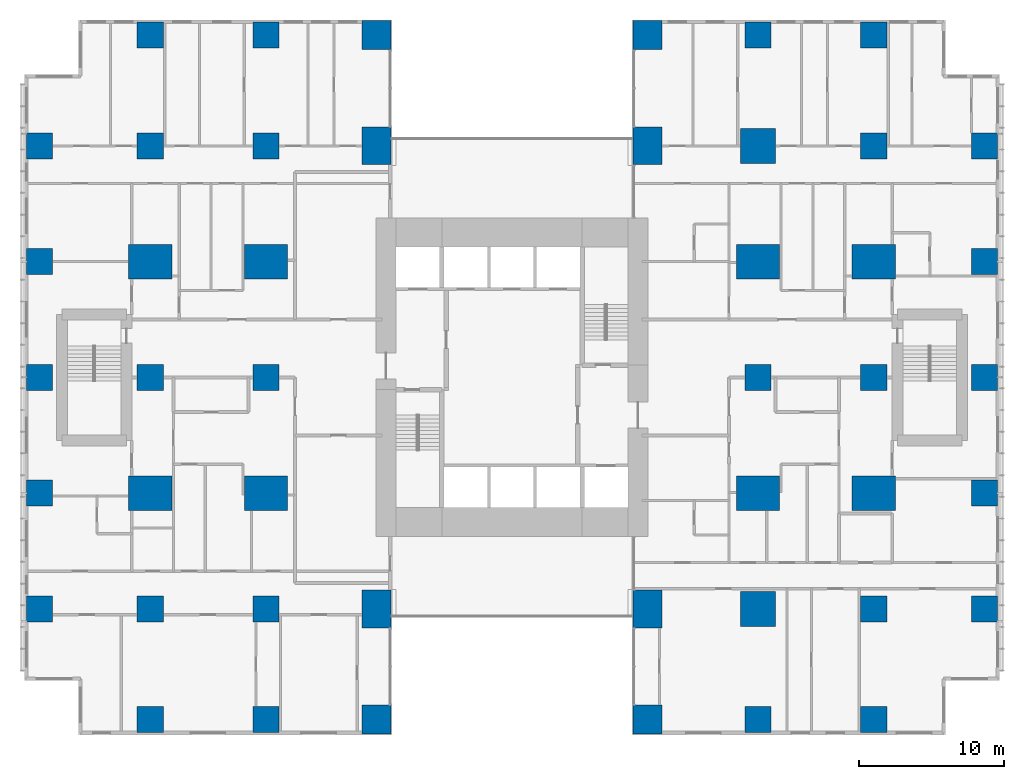
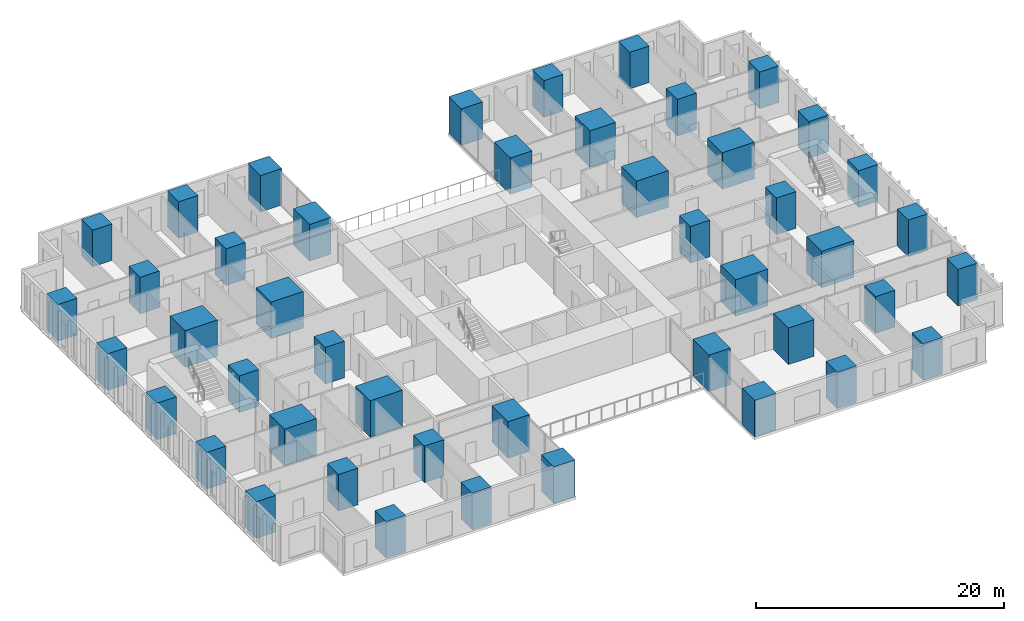
# One storey, part 1 of 20: 46 columns.
"""IFC4 building model written with IfcOpenShell, lengths in metres."""

from ifc_helpers import new_model, si_unit, direction, frame, origin, origin_2d, place, context, subcontext, project, spatial, rectangle, extrude, material, material_profile, profile_set, type_object, element, save


model = new_model("IFC4")

# Units and contexts
model_context = context("Model", 3, precision=1e-05, world=origin(), true_north=direction((0.0, 1.0)))
body_context = subcontext(model_context, "Body", "Model", "MODEL_VIEW")
ifc_project = project(units=[si_unit("LENGTHUNIT", "METRE"), si_unit("AREAUNIT", "SQUARE_METRE"), si_unit("VOLUMEUNIT", "CUBIC_METRE"), si_unit("PLANEANGLEUNIT", "RADIAN"), si_unit("MASSUNIT", "GRAM", prefix="KILO")], contexts=[model_context])

# Site, building, storey
site_placement = place(None, origin())
site = spatial("IfcSite", under=ifc_project, at=site_placement, CompositionType="ELEMENT")
building_placement = place(site_placement, origin())
building = spatial("IfcBuilding", under=site, at=building_placement, Name="Cleftline Residences", CompositionType="ELEMENT")
storey_placement = place(building_placement, frame((0.0, 0.0, 182.199951171875)))
storey = spatial("IfcBuildingStorey", under=building, at=storey_placement, Name="L47", CompositionType="ELEMENT", Elevation=182.199951171875)

# Columns
ifc_material_1 = material(Name="Concrete B70", Category="concrete")
ifc_material_profile_1 = material_profile(ifc_material_1, rectangle(XDim=1.800048828125, YDim=1.800048828125, at=origin_2d()))
ifc_profile_set_1 = profile_set([ifc_material_profile_1], Name="Concrete B70")
column_type_1 = type_object("IfcColumnType", Name="COLUMN RC1800X1800", PredefinedType="COLUMN", material=ifc_profile_set_1)
for number, where, z_axis, x_axis, name in (
    (1, (0.35009765625, 8.0, 0.0), (0.0, 0.0, 1.0), (1.0, 0.0, 0.0), "Column D/3"),
    (2, (0.35009765625, 16.0, 0.0), (0.0, 0.0, 1.0), (1.0, 0.0, 0.0), "Column E/3"),
    (3, (0.35009765625, 24.0, 0.0), (0.0, 0.0, 1.0), (1.0, 0.0, 0.0), "Column F/3"),
    (4, (0.35009765625, 32.0, 0.0), (0.0, 0.0, 1.0), (1.0, 0.0, 0.0), "Column G/3"),
    (5, (0.35009765625, 40.0, 0.0), (0.0, 0.0, 1.0), (1.0, 0.0, 0.0), "Column H/3"),
    (6, (8.0, 0.35009765625, 0.0), (0.0, 0.0, 1.0), (1.0, 0.0, 0.0), "Column C/4"),
    (7, (8.0, 8.0, 0.0), (0.0, 0.0, 1.0), (1.0, 0.0, 0.0), "Column D/4"),
    (8, (8.0, 24.0, 0.0), (0.0, 0.0, 1.0), (1.0, 0.0, 0.0), "Column F/4"),
    (9, (8.0, 40.0, 0.0), (0.0, 0.0, 1.0), (1.0, 0.0, 0.0), "Column H/4"),
    (10, (8.0, 47.64990234375, 0.0), (0.0, 0.0, 1.0), (1.0, 0.0, 0.0), "Column J/4"),
    (11, (16.0, 0.35009765625, 0.0), (0.0, 0.0, 1.0), (1.0, 0.0, 0.0), "Column C/5"),
    (12, (16.0, 8.0, 0.0), (0.0, 0.0, 1.0), (1.0, 0.0, 0.0), "Column D/5"),
    (13, (16.0, 24.0, 0.0), (0.0, 0.0, 1.0), (1.0, 0.0, 0.0), "Column F/5"),
    (14, (16.0, 40.0, 0.0), (0.0, 0.0, 1.0), (1.0, 0.0, 0.0), "Column H/5"),
    (15, (16.0, 47.64990234375, 0.0), (0.0, 0.0, 1.0), (1.0, 0.0, 0.0), "Column J/5"),
    (16, (50.0, 0.35009765625, 0.0), (0.0, 0.0, 1.0), (1.0, 0.0, 0.0), "Column C/9"),
    (17, (50.0, 24.0, 0.0), (0.0, 0.0, 1.0), (1.0, 0.0, 0.0), "Column F/9"),
    (18, (50.0, 47.64990234375, 0.0), (0.0, 0.0, 1.0), (1.0, 0.0, 0.0), "Column J/9"),
    (19, (58.0, 0.35009765625, 0.0), (0.0, 0.0, 1.0), (1.0, 0.0, 0.0), "Column C/10"),
    (20, (58.0, 8.0, 0.0), (0.0, 0.0, 1.0), (1.0, 0.0, 0.0), "Column D/10"),
    (21, (58.0, 24.0, 0.0), (0.0, 0.0, 1.0), (1.0, 0.0, 0.0), "Column F/10"),
    (22, (58.0, 40.0, 0.0), (0.0, 0.0, 1.0), (1.0, 0.0, 0.0), "Column H/10"),
    (23, (58.0, 47.64990234375, 0.0), (0.0, 0.0, 1.0), (1.0, 0.0, 0.0), "Column J/10"),
    (24, (65.64990234375, 8.0, 0.0), (0.0, 0.0, 1.0), (1.0, 0.0, 0.0), "Column D/11"),
    (25, (65.64990234375, 16.0, 0.0), (0.0, 0.0, 1.0), (1.0, 0.0, 0.0), "Column E/11"),
    (26, (65.64990234375, 24.0, 0.0), (0.0, 0.0, 1.0), (1.0, 0.0, 0.0), "Column F/11"),
    (27, (65.64990234375, 32.0, 0.0), (0.0, 0.0, 1.0), (1.0, 0.0, 0.0), "Column G/11"),
    (28, (65.64990234375, 40.0, 0.0), (0.0, 0.0, 1.0), (1.0, 0.0, 0.0), "Column H/11"),
):
    element("IfcColumn", number, at=place(storey_placement, frame(where, z_axis=z_axis, x_axis=x_axis)), inside=storey, type_object=column_type_1, Name=name, PredefinedType="COLUMN", context=body_context, shape_type="SweptSolid", body=[
        extrude(rectangle(XDim=1.800048828125, YDim=1.800048828125, at=origin_2d()), origin(), (0.0, 0.0, 1.0), 3.60009765625),
    ])
ifc_material_2 = material(Name="Concrete B70", Category="concrete")
ifc_material_profile_2 = material_profile(ifc_material_2, rectangle(XDim=2.0, YDim=2.0, at=origin_2d()))
ifc_profile_set_2 = profile_set([ifc_material_profile_2], Name="Concrete B70")
column_type_2 = type_object("IfcColumnType", Name="COLUMN RC2000X2000", PredefinedType="COLUMN", material=ifc_profile_set_2)
for number, where, z_axis, x_axis, name in (
    (29, (23.64990234375, 0.35009765625, 0.0), (0.0, 0.0, 1.0), (1.0, 0.0, 0.0), "Column C/6"),
    (30, (23.64990234375, 47.64990234375, 0.0), (0.0, 0.0, 1.0), (1.0, 0.0, 0.0), "Column J/6"),
    (31, (42.35009765625, 0.35009765625, 0.0), (0.0, 0.0, 1.0), (1.0, 0.0, 0.0), "Column C/8"),
    (32, (42.35009765625, 47.64990234375, 0.0), (0.0, 0.0, 1.0), (1.0, 0.0, 0.0), "Column J/8"),
):
    element("IfcColumn", number, at=place(storey_placement, frame(where, z_axis=z_axis, x_axis=x_axis)), inside=storey, type_object=column_type_2, Name=name, PredefinedType="COLUMN", context=body_context, shape_type="SweptSolid", body=[
        extrude(rectangle(XDim=2.0, YDim=2.0, at=origin_2d()), origin(), (0.0, 0.0, 1.0), 3.60009765625),
    ])
ifc_material_3 = material(Name="Concrete B70", Category="concrete")
ifc_material_profile_3 = material_profile(ifc_material_3, rectangle(XDim=2.0, YDim=2.60009765625, at=origin_2d()))
ifc_profile_set_3 = profile_set([ifc_material_profile_3], Name="Concrete B70")
column_type_3 = type_object("IfcColumnType", Name="COLUMN RC2000X2600", PredefinedType="COLUMN", material=ifc_profile_set_3)
for number, where, z_axis, x_axis, name in (
    (33, (23.64990234375, 8.0, 0.0), (0.0, 0.0, 1.0), (1.0, 0.0, 0.0), "Column D/6"),
    (34, (23.64990234375, 40.0, 0.0), (0.0, 0.0, 1.0), (1.0, 0.0, 0.0), "Column H/6"),
    (35, (42.35009765625, 8.0, 0.0), (0.0, 0.0, 1.0), (1.0, 0.0, 0.0), "Column D/8"),
    (36, (42.35009765625, 40.0, 0.0), (0.0, 0.0, 1.0), (1.0, 0.0, 0.0), "Column H/8"),
):
    element("IfcColumn", number, at=place(storey_placement, frame(where, z_axis=z_axis, x_axis=x_axis)), inside=storey, type_object=column_type_3, Name=name, PredefinedType="COLUMN", context=body_context, shape_type="SweptSolid", body=[
        extrude(rectangle(XDim=2.0, YDim=2.60009765625, at=origin_2d()), origin(), (0.0, 0.0, 1.0), 3.60009765625),
    ])
ifc_material_4 = material(Name="Concrete B70", Category="concrete")
ifc_material_profile_4 = material_profile(ifc_material_4, rectangle(XDim=2.39990234375, YDim=2.39990234375, at=origin_2d()))
ifc_profile_set_4 = profile_set([ifc_material_profile_4], Name="Concrete B70")
column_type_4 = type_object("IfcColumnType", Name="COLUMN RC2400X2400", PredefinedType="COLUMN", material=ifc_profile_set_4)
for number, where, z_axis, x_axis, name in (
    (37, (50.0, 8.0, 0.0), (0.0, 0.0, 1.0), (1.0, 0.0, 0.0), "Column D/9"),
    (38, (50.0, 40.0, 0.0), (0.0, 0.0, 1.0), (1.0, 0.0, 0.0), "Column H/9"),
):
    element("IfcColumn", number, at=place(storey_placement, frame(where, z_axis=z_axis, x_axis=x_axis)), inside=storey, type_object=column_type_4, Name=name, PredefinedType="COLUMN", context=body_context, shape_type="SweptSolid", body=[
        extrude(rectangle(XDim=2.39990234375, YDim=2.39990234375, at=origin_2d()), origin(), (0.0, 0.0, 1.0), 3.60009765625),
    ])
ifc_material_5 = material(Name="Concrete B70", Category="concrete")
ifc_material_profile_5 = material_profile(ifc_material_5, rectangle(XDim=3.0, YDim=2.39990234375, at=origin_2d()))
ifc_profile_set_5 = profile_set([ifc_material_profile_5], Name="Concrete B70")
column_type_5 = type_object("IfcColumnType", Name="COLUMN RC3000X2400", PredefinedType="COLUMN", material=ifc_profile_set_5)
for number, where, z_axis, x_axis, name in (
    (39, (8.0, 16.0, 0.0), (0.0, 0.0, 1.0), (1.0, 0.0, 0.0), "Column E/4"),
    (40, (8.0, 32.0, 0.0), (0.0, 0.0, 1.0), (1.0, 0.0, 0.0), "Column G/4"),
    (41, (16.0, 16.0, 0.0), (0.0, 0.0, 1.0), (1.0, 0.0, 0.0), "Column E/5"),
    (42, (16.0, 32.0, 0.0), (0.0, 0.0, 1.0), (1.0, 0.0, 0.0), "Column G/5"),
    (43, (50.0, 16.0, 0.0), (0.0, 0.0, 1.0), (1.0, 0.0, 0.0), "Column E/9"),
    (44, (50.0, 32.0, 0.0), (0.0, 0.0, 1.0), (1.0, 0.0, 0.0), "Column G/9"),
    (45, (58.0, 16.0, 0.0), (0.0, 0.0, 1.0), (1.0, 0.0, 0.0), "Column E/10"),
    (46, (58.0, 32.0, 0.0), (0.0, 0.0, 1.0), (1.0, 0.0, 0.0), "Column G/10"),
):
    element("IfcColumn", number, at=place(storey_placement, frame(where, z_axis=z_axis, x_axis=x_axis)), inside=storey, type_object=column_type_5, Name=name, PredefinedType="COLUMN", context=body_context, shape_type="SweptSolid", body=[
        extrude(rectangle(XDim=3.0, YDim=2.39990234375, at=origin_2d()), origin(), (0.0, 0.0, 1.0), 3.60009765625),
    ])

save(model, "model.ifc")
